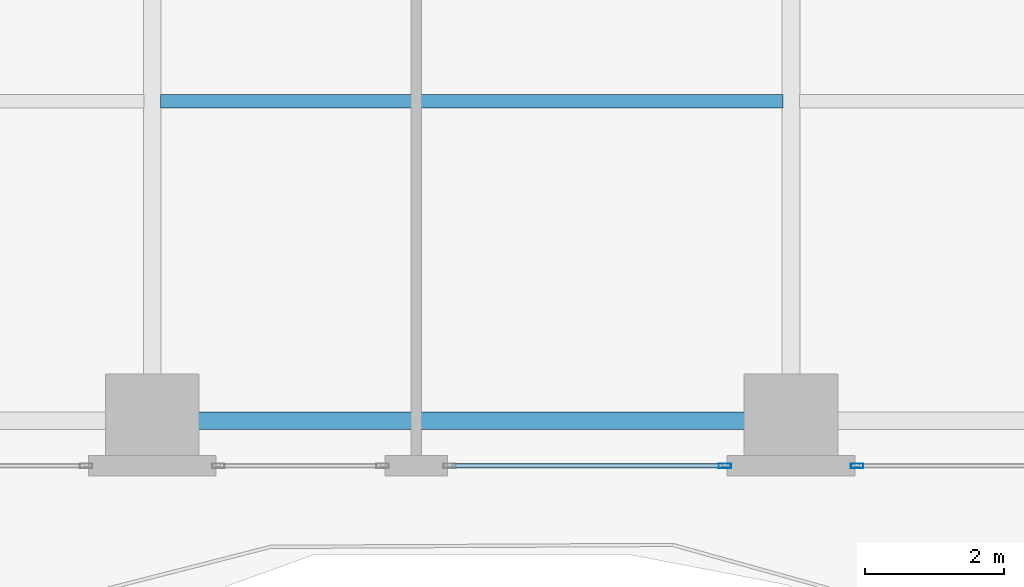
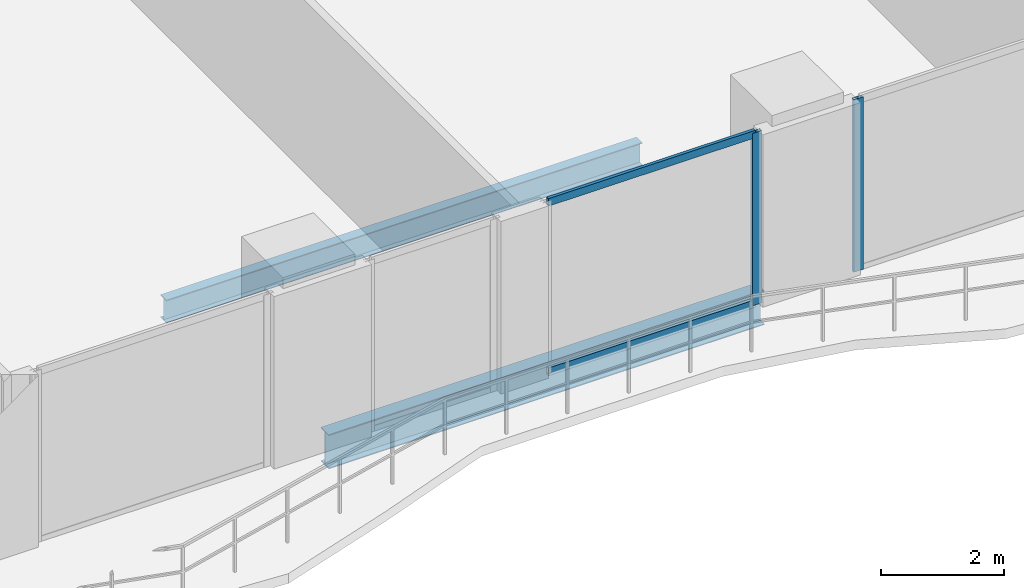
# One storey, part 5 of 28: 4 members, 2 beams, 2 elements without a shape of their own.
"""IFC4 building model written with IfcOpenShell, lengths in metres."""

from ifc_helpers import new_model, si_unit, direction, frame, origin, origin_2d, place, context, subcontext, project, spatial, hollow_rectangle, i_section, extrude, material, layer, layer_set, material_profile, profile_set, type_object, element, aggregate, save


model = new_model("IFC4")

# Units and contexts
model_context = context("Model", 3, precision=1e-05, world=origin(), true_north=direction((0.0, 1.0)))
body_context = subcontext(model_context, "Body", "Model", "MODEL_VIEW")
ifc_project = project(units=[si_unit("LENGTHUNIT", "METRE"), si_unit("AREAUNIT", "SQUARE_METRE"), si_unit("VOLUMEUNIT", "CUBIC_METRE"), si_unit("PLANEANGLEUNIT", "RADIAN"), si_unit("MASSUNIT", "GRAM", prefix="KILO")], contexts=[model_context])

# Site, building, storey
site_placement = place(None, origin())
site = spatial("IfcSite", under=ifc_project, at=site_placement, CompositionType="ELEMENT")
building_placement = place(site_placement, origin())
building = spatial("IfcBuilding", under=site, at=building_placement, Name="Zuhayl Quay Hotel", CompositionType="ELEMENT")
storey_placement = place(building_placement, frame((0.0, 0.0, 143.10009765625)))
storey = spatial("IfcBuildingStorey", under=building, at=storey_placement, Name="L36", CompositionType="ELEMENT", Elevation=143.10009765625)

# Beams
ifc_material_1 = material(Name="Steel ASTM A992 Grade 50", Category="steel")
ifc_material_profile_1 = material_profile(ifc_material_1, i_section(OverallWidth=0.25390625, OverallDepth=0.68310546875, WebThickness=0.012451171875, FlangeThickness=0.018798828125, at=origin_2d()), Name="W27X94")
ifc_profile_set_1 = profile_set([ifc_material_profile_1], Name="Steel ASTM A992 Grade 50")
beam_type_1 = type_object("IfcBeamType", Name="BM_B2_W27X94", PredefinedType="BEAM", material=ifc_profile_set_1)
beam_1_placement = place(storey_placement, frame((-4.10009765625, -14.75, -0.5615234375), z_axis=(1.0, 0.0, 0.0), x_axis=(0.0, 1.0, 0.0)))
element("IfcBeam", 1, at=beam_1_placement, inside=storey, type_object=beam_type_1, Name="L36 Floor Beam RG_L36_02", PredefinedType="BEAM", context=body_context, shape_type="SweptSolid", body=[
    extrude(i_section(OverallWidth=0.25390625, OverallDepth=0.68310546875, WebThickness=0.012451171875, FlangeThickness=0.018798828125, at=origin_2d()), origin(), (0.0, 0.0, 1.0), 8.2001953125),
])
ifc_material_profile_2 = material_profile(ifc_material_1, i_section(OverallWidth=0.18994140625, OverallDepth=0.45703125, WebThickness=0.009033203125, FlangeThickness=0.014404296875, at=origin_2d()), Name="W18X50")
ifc_profile_set_2 = profile_set([ifc_material_profile_2], Name="Steel ASTM A992 Grade 50")
beam_type_2 = type_object("IfcBeamType", Name="BM_J2_W18X50", PredefinedType="JOIST", material=ifc_profile_set_2)
beam_2_placement = place(storey_placement, frame((-4.48095703125, -10.14990234375, -0.448486328125), z_axis=(1.0, 0.0, 0.0), x_axis=(0.0, 1.0, 0.0)))
element("IfcBeam", 2, at=beam_2_placement, inside=storey, type_object=beam_type_2, Name="L36 Floor Beam FJ_L36_5_2", PredefinedType="JOIST", context=body_context, shape_type="SweptSolid", body=[
    extrude(i_section(OverallWidth=0.18994140625, OverallDepth=0.45703125, WebThickness=0.009033203125, FlangeThickness=0.014404296875, at=origin_2d()), origin(), (0.0, 0.0, 1.0), 8.9619140625),
])

# Curtain wall, member
ifc_material_2 = material(Name="Anodised Aluminium 6063-T6", Category="aluminium")
ifc_layer = layer(ifc_material_2, 0.179931640625, Name="Anodised Aluminium 6063-T6", Category="aluminium")
ifc_layer_set = layer_set([ifc_layer], Name="Anodised Aluminium 6063-T6")
curtain_wall_type = type_object("IfcCurtainWallType", Name="CW_SYS_Z2", PredefinedType="USERDEFINED", material=ifc_layer_set)
curtain_wall_1_placement = place(storey_placement, origin())
curtain_wall_1 = element("IfcCurtainWall", 3, at=curtain_wall_1_placement, inside=storey, type_object=curtain_wall_type, Name="L36 Curtain Wall ENV_L36_S_CW3", ObjectType="UNITISED CURTAIN WALL", PredefinedType="USERDEFINED")
ifc_material_3 = material(Name="Black-anodised aluminium 6063-T6", Category="aluminium")
ifc_material_profile_3 = material_profile(ifc_material_3, hollow_rectangle(XDim=0.06494140625, YDim=0.179931640625, WallThickness=0.00341796875, at=origin_2d()), Name="ALU180X65")
ifc_profile_set_3 = profile_set([ifc_material_profile_3], Name="Black-anodised aluminium 6063-T6")
member_type_1 = type_object("IfcMemberType", Name="MB_CW_MUL_180", PredefinedType="MULLION", material=ifc_profile_set_3)
member_1_placement = place(storey_placement, frame((5.552490234375, -15.39990234375, 0.0), z_axis=(0.0, 0.0, 1.0), x_axis=(0.0, -1.0, 0.0)))
member_1 = element("IfcMember", 4, at=member_1_placement, type_object=member_type_1, Name="CW-Z2 mullion 2", PredefinedType="MULLION", context=body_context, shape_type="SweptSolid", body=[
    extrude(hollow_rectangle(XDim=0.06494140625, YDim=0.179931640625, WallThickness=0.00341796875, at=origin_2d()), origin(), (0.0, 0.0, 1.0), 3.429931640625),
])
aggregate(curtain_wall_1, [member_1])

# Curtain wall, members
curtain_wall_2_placement = place(storey_placement, origin())
curtain_wall_2 = element("IfcCurtainWall", 5, at=curtain_wall_2_placement, inside=storey, type_object=curtain_wall_type, Name="L36 Curtain Wall ENV_L36_S_CW4", ObjectType="UNITISED CURTAIN WALL", PredefinedType="USERDEFINED")
member_2_placement = place(storey_placement, frame((3.6474609375, -15.39990234375, 0.0), z_axis=(0.0, 0.0, 1.0), x_axis=(0.0, -1.0, 0.0)))
member_2 = element("IfcMember", 6, at=member_2_placement, type_object=member_type_1, Name="CW-Z2 mullion 1", PredefinedType="MULLION", context=body_context, shape_type="SweptSolid", body=[
    extrude(hollow_rectangle(XDim=0.06494140625, YDim=0.179931640625, WallThickness=0.00341796875, at=origin_2d()), origin(), (0.0, 0.0, 1.0), 3.429931640625),
])
ifc_material_profile_4 = material_profile(ifc_material_3, hollow_rectangle(XDim=0.06005859375, YDim=0.14990234375, WallThickness=0.00341796875, at=origin_2d()), Name="ALU150X60")
ifc_profile_set_4 = profile_set([ifc_material_profile_4], Name="Black-anodised aluminium 6063-T6")
member_type_2 = type_object("IfcMemberType", Name="MB_CW_TRN_150", PredefinedType="USERDEFINED", material=ifc_profile_set_4)
member_3_placement = place(storey_placement, frame((3.614990234375, -15.39990234375, 0.02978515625), z_axis=(-1.0, 0.0, 0.0), x_axis=(0.0, -1.0, 0.0)))
member_3 = element("IfcMember", 7, at=member_3_placement, type_object=member_type_2, Name="CW-Z2 transom 1.1", ObjectType="TRANSOM", PredefinedType="USERDEFINED", context=body_context, shape_type="SweptSolid", body=[
    extrude(hollow_rectangle(XDim=0.06005859375, YDim=0.14990234375, WallThickness=0.00341796875, at=origin_2d()), origin(), (0.0, 0.0, 1.0), 3.89990234375),
])
member_4_placement = place(storey_placement, frame((3.614990234375, -15.39990234375, 3.39990234375), z_axis=(-1.0, 0.0, 0.0), x_axis=(0.0, -1.0, 0.0)))
member_4 = element("IfcMember", 8, at=member_4_placement, type_object=member_type_2, Name="CW-Z2 transom 1.2", ObjectType="TRANSOM", PredefinedType="USERDEFINED", context=body_context, shape_type="SweptSolid", body=[
    extrude(hollow_rectangle(XDim=0.06005859375, YDim=0.14990234375, WallThickness=0.00341796875, at=origin_2d()), origin(), (0.0, 0.0, 1.0), 3.89990234375),
])
aggregate(curtain_wall_2, [member_2, member_3, member_4])

save(model, "model.ifc")
